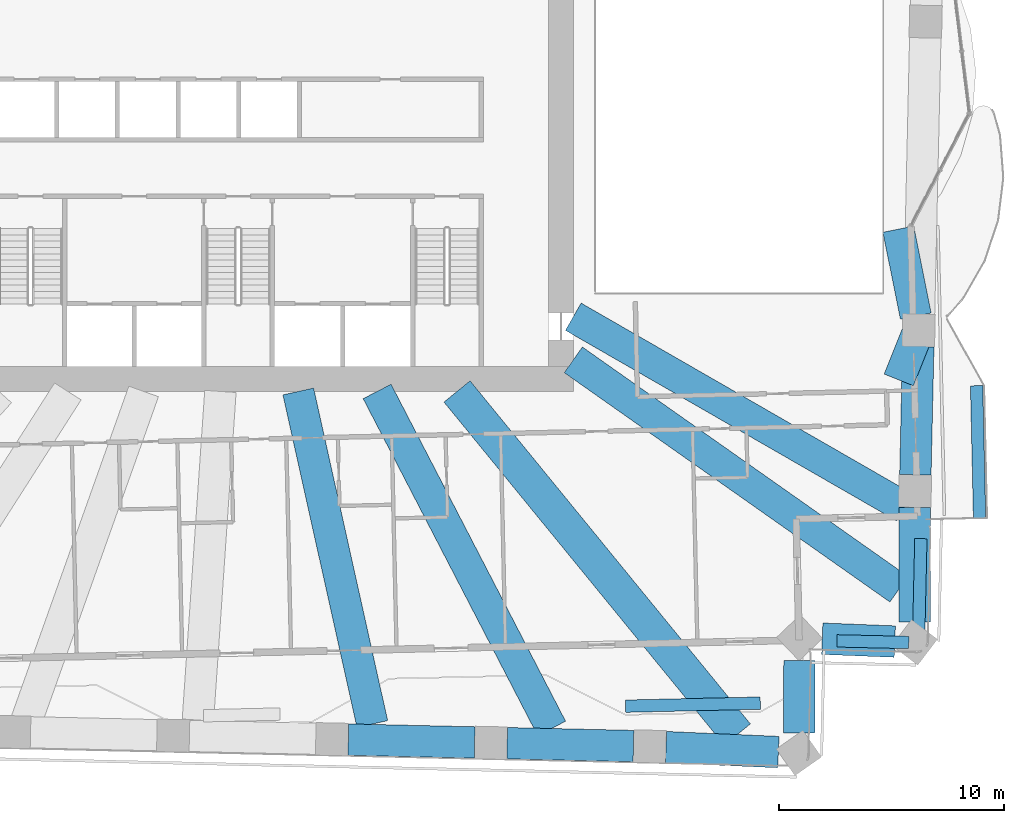
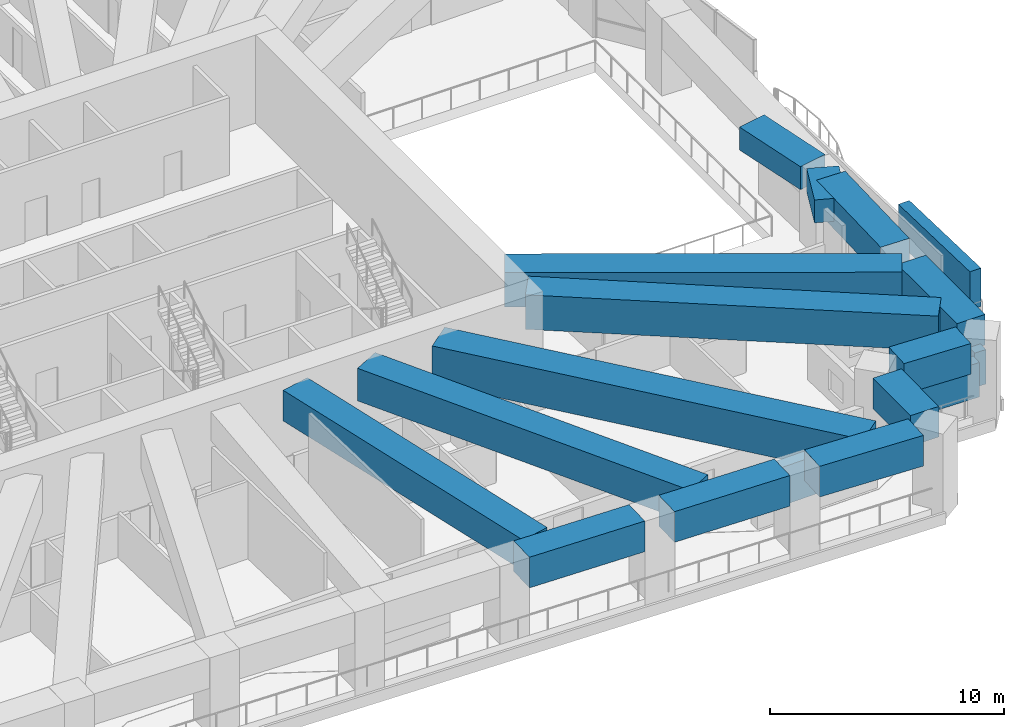
# One storey, part 3 of 20: 14 beams, 4 members.
"""IFC4 building model written with IfcOpenShell, lengths in metres."""

from ifc_helpers import new_model, si_unit, direction, frame, origin, origin_2d, place, context, subcontext, project, spatial, rectangle, extrude, material, material_profile, profile_set, type_object, element, save


model = new_model("IFC4")

# Units and contexts
model_context = context("Model", 3, precision=1e-05, world=origin(), true_north=direction((0.0, 1.0)))
body_context = subcontext(model_context, "Body", "Model", "MODEL_VIEW")
ifc_project = project(units=[si_unit("LENGTHUNIT", "METRE"), si_unit("AREAUNIT", "SQUARE_METRE"), si_unit("VOLUMEUNIT", "CUBIC_METRE"), si_unit("PLANEANGLEUNIT", "RADIAN"), si_unit("MASSUNIT", "GRAM", prefix="KILO")], contexts=[model_context])

# Site, building, storey
site_placement = place(None, origin())
site = spatial("IfcSite", under=ifc_project, at=site_placement, CompositionType="ELEMENT")
building_placement = place(site_placement, origin())
building = spatial("IfcBuilding", under=site, at=building_placement, Name="Mangrove Gate Tower", CompositionType="ELEMENT")
storey_placement = place(building_placement, frame((0.0, 0.0, 74.699951171875)))
storey = spatial("IfcBuildingStorey", under=building, at=storey_placement, Name="L18", CompositionType="ELEMENT", Elevation=74.699951171875)

# Members
ifc_material_1 = material(Name="Planting on aluminium trellis", Category="aluminium")
ifc_material_profile_1 = material_profile(ifc_material_1, rectangle(XDim=0.550048828125, YDim=2.0, at=origin_2d()))
ifc_profile_set_1 = profile_set([ifc_material_profile_1], Name="Planting on aluminium trellis")
member_type_1 = type_object("IfcMemberType", Name="Balcony greenery screen 550x2000", PredefinedType="USERDEFINED", material=ifc_profile_set_1)
member_1_placement = place(storey_placement, frame((32.993896484375, -17.5419921875, 1.800048828125), z_axis=(-0.022512713257, 0.999746556754, 0.0), x_axis=(-0.999746556754, -0.022512713257, 0.0)))
element("IfcMember", 1, at=member_1_placement, inside=storey, type_object=member_type_1, Name="GREEN SCREEN L18 E0.1", ObjectType="PLANTING", PredefinedType="USERDEFINED", context=body_context, shape_type="SweptSolid", body=[
    extrude(rectangle(XDim=0.550048828125, YDim=2.0, at=origin_2d()), origin(), (0.0, 0.0, 1.0), 5.8994140625),
])
member_2_placement = place(storey_placement, frame((17.22998046875, -25.9169921875, 1.800048828125), z_axis=(0.999743094499, 0.022665943652, 0.0), x_axis=(-0.022665943652, 0.999743094499, 0.0)))
element("IfcMember", 2, at=member_2_placement, inside=storey, type_object=member_type_1, Name="GREEN SCREEN L18 S1.1", ObjectType="PLANTING", PredefinedType="USERDEFINED", context=body_context, shape_type="SweptSolid", body=[
    extrude(rectangle(XDim=0.550048828125, YDim=2.0, at=origin_2d()), origin(), (0.0, 0.0, 1.0), 5.99951171875),
])
ifc_material_2 = material(Name="Planting on aluminium trellis", Category="aluminium")
ifc_material_profile_2 = material_profile(ifc_material_2, rectangle(XDim=0.550048828125, YDim=1.800048828125, at=origin_2d()))
ifc_profile_set_2 = profile_set([ifc_material_profile_2], Name="Planting on aluminium trellis")
member_type_2 = type_object("IfcMemberType", Name="Roof greenery screen 550x1800", PredefinedType="USERDEFINED", material=ifc_profile_set_2)
member_3_placement = place(storey_placement, frame((30.37890625, -18.4560546875, 1.699951171875), z_axis=(-0.02260655623, -0.999744439152, 0.0), x_axis=(0.999744439152, -0.02260655623, 0.0)))
element("IfcMember", 3, at=member_3_placement, inside=storey, type_object=member_type_2, Name="GREEN SCREEN L18 T4.1.6", ObjectType="PLANTING", PredefinedType="USERDEFINED", context=body_context, shape_type="SweptSolid", body=[
    extrude(rectangle(XDim=0.550048828125, YDim=1.800048828125, at=origin_2d()), origin(), (0.0, 0.0, 1.0), 4.200927734375),
])
member_4_placement = place(storey_placement, frame((29.839111328125, -23.0810546875, 1.699951171875), z_axis=(-0.999745572019, 0.022556401051, 0.0), x_axis=(-0.022556401051, -0.999745572019, 0.0)))
element("IfcMember", 4, at=member_4_placement, inside=storey, type_object=member_type_2, Name="GREEN SCREEN L18 T4.2.6", ObjectType="PLANTING", PredefinedType="USERDEFINED", context=body_context, shape_type="SweptSolid", body=[
    extrude(rectangle(XDim=0.550048828125, YDim=1.800048828125, at=origin_2d()), origin(), (0.0, 0.0, 1.0), 3.19287109375),
])

# Beams
ifc_material_3 = material(Name="Concrete C70/85", Category="concrete")
ifc_material_profile_3 = material_profile(ifc_material_3, rectangle(XDim=1.39990234375, YDim=1.199951171875, at=origin_2d()))
ifc_profile_set_3 = profile_set([ifc_material_profile_3], Name="Concrete C70/85")
beam_type_1 = type_object("IfcBeamType", Name="Transfer girder RC 1400x1200 C70/85", PredefinedType="BEAM", material=ifc_profile_set_3)
beam_1_placement = place(storey_placement, frame((30.279296875, -9.177490234375, 3.449951171875), z_axis=(-0.371443763916, -0.9284554541, 0.0), x_axis=(0.9284554541, -0.371443763916, 0.0)))
element("IfcBeam", 5, at=beam_1_placement, inside=storey, type_object=beam_type_1, Name="Transfer edge girder L18 14", PredefinedType="BEAM", context=body_context, shape_type="SweptSolid", body=[
    extrude(rectangle(XDim=1.39990234375, YDim=1.199951171875, at=origin_2d()), origin(), (0.0, 0.0, 1.0), 2.378662109375),
])
beam_2_placement = place(storey_placement, frame((30.152587890625, -8.547119140625, 3.449951171875), z_axis=(-0.196674757374, 0.980468785741, 0.0), x_axis=(-0.980468785741, -0.196674757374, 0.0)))
element("IfcBeam", 6, at=beam_2_placement, inside=storey, type_object=beam_type_1, Name="Transfer edge girder L18 15", PredefinedType="BEAM", context=body_context, shape_type="SweptSolid", body=[
    extrude(rectangle(XDim=1.39990234375, YDim=1.199951171875, at=origin_2d()), origin(), (0.0, 0.0, 1.0), 3.949951171875),
])
ifc_material_4 = material(Name="Concrete C70/85", Category="concrete")
ifc_material_profile_4 = material_profile(ifc_material_4, rectangle(XDim=1.39990234375, YDim=1.60009765625, at=origin_2d()))
ifc_profile_set_4 = profile_set([ifc_material_profile_4], Name="Concrete C70/85")
beam_type_2 = type_object("IfcBeamType", Name="Transfer girder RC 1400x1600 C70/85", PredefinedType="BEAM", material=ifc_profile_set_4)
beam_3_placement = place(storey_placement, frame((4.88037109375, -27.40576171875, 3.25), z_axis=(0.999741409687, -0.022740135377, 0.0), x_axis=(0.022740135377, 0.999741409687, 0.0)))
element("IfcBeam", 7, at=beam_3_placement, inside=storey, type_object=beam_type_2, Name="Transfer ring girder L18 09", PredefinedType="BEAM", context=body_context, shape_type="SweptSolid", body=[
    extrude(rectangle(XDim=1.39990234375, YDim=1.60009765625, at=origin_2d()), origin(), (0.0, 0.0, 1.0), 5.625732421875),
])
beam_4_placement = place(storey_placement, frame((11.954345703125, -27.566650390625, 3.25), z_axis=(0.999741499429, -0.022736189649, 0.0), x_axis=(0.022736189649, 0.999741499429, 0.0)))
element("IfcBeam", 8, at=beam_4_placement, inside=storey, type_object=beam_type_2, Name="Transfer ring girder L18 10", PredefinedType="BEAM", context=body_context, shape_type="SweptSolid", body=[
    extrude(rectangle(XDim=1.39990234375, YDim=1.60009765625, at=origin_2d()), origin(), (0.0, 0.0, 1.0), 5.626708984375),
])
beam_5_placement = place(storey_placement, frame((19.02880859375, -27.742919921875, 3.25), z_axis=(0.999041944895, -0.043762910562, 0.0), x_axis=(0.043762910562, 0.999041944895, 0.0)))
element("IfcBeam", 9, at=beam_5_placement, inside=storey, type_object=beam_type_2, Name="Transfer ring girder L18 11", PredefinedType="BEAM", context=body_context, shape_type="SweptSolid", body=[
    extrude(rectangle(XDim=1.39990234375, YDim=1.60009765625, at=origin_2d()), origin(), (0.0, 0.0, 1.0), 5.009765625),
])
beam_6_placement = place(storey_placement, frame((24.95263671875, -27.113037109375, 3.25), z_axis=(0.006498275971, 0.999978885982, 0.0), x_axis=(-0.999978885982, 0.006498275971, 0.0)))
element("IfcBeam", 10, at=beam_6_placement, inside=storey, type_object=beam_type_2, Name="Transfer ring girder L18 12", PredefinedType="BEAM", context=body_context, shape_type="SweptSolid", body=[
    extrude(rectangle(XDim=1.39990234375, YDim=1.60009765625, at=origin_2d()), origin(), (0.0, 0.0, 1.0), 3.23095703125),
])
beam_7_placement = place(storey_placement, frame((25.987548828125, -22.912841796875, 3.25), z_axis=(0.999216566217, -0.039575924467, 0.0), x_axis=(0.039575924467, 0.999216566217, 0.0)))
element("IfcBeam", 11, at=beam_7_placement, inside=storey, type_object=beam_type_2, Name="Transfer ring girder L18 13", PredefinedType="BEAM", context=body_context, shape_type="SweptSolid", body=[
    extrude(rectangle(XDim=1.39990234375, YDim=1.60009765625, at=origin_2d()), origin(), (0.0, 0.0, 1.0), 3.232421875),
])
beam_8_placement = place(storey_placement, frame((30.104248046875, -22.166259765625, 3.25), z_axis=(0.002200951607, 0.999997577903, 0.0), x_axis=(-0.999997577903, 0.002200951607, 0.0)))
element("IfcBeam", 12, at=beam_8_placement, inside=storey, type_object=beam_type_2, Name="Transfer ring girder L18 14", PredefinedType="BEAM", context=body_context, shape_type="SweptSolid", body=[
    extrude(rectangle(XDim=1.39990234375, YDim=1.60009765625, at=origin_2d()), origin(), (0.0, 0.0, 1.0), 5.1025390625),
])
beam_9_placement = place(storey_placement, frame((30.133544921875, -15.61376953125, 3.25), z_axis=(0.022606856661, 0.999744432359, 0.0), x_axis=(-0.999744432359, 0.022606856661, 0.0)))
element("IfcBeam", 13, at=beam_9_placement, inside=storey, type_object=beam_type_2, Name="Transfer ring girder L18 15", PredefinedType="BEAM", context=body_context, shape_type="SweptSolid", body=[
    extrude(rectangle(XDim=1.39990234375, YDim=1.60009765625, at=origin_2d()), origin(), (0.0, 0.0, 1.0), 5.712890625),
])
beam_10_placement = place(storey_placement, frame((2.65087890625, -11.89990234375, 3.25), z_axis=(0.217424451768, -0.976077152572, 0.0), x_axis=(0.976077152572, 0.217424451768, 0.0)))
element("IfcBeam", 14, at=beam_10_placement, inside=storey, type_object=beam_type_2, Name="Transfer girder L18 08", PredefinedType="BEAM", context=body_context, shape_type="SweptSolid", body=[
    extrude(rectangle(XDim=1.39990234375, YDim=1.60009765625, at=origin_2d()), origin(), (0.0, 0.0, 1.0), 15.174560546875),
])
ifc_material_5 = material(Name="Concrete C70/85", Category="concrete")
ifc_material_profile_5 = material_profile(ifc_material_5, rectangle(XDim=1.39990234375, YDim=1.699951171875, at=origin_2d()))
ifc_profile_set_5 = profile_set([ifc_material_profile_5], Name="Concrete C70/85")
beam_type_3 = type_object("IfcBeamType", Name="Transfer girder RC 1400x1700 C70/85", PredefinedType="BEAM", material=ifc_profile_set_5)
beam_11_placement = place(storey_placement, frame((6.162841796875, -11.89990234375, 3.199951171875), z_axis=(0.45986726385, -0.88798766863, 0.0), x_axis=(0.88798766863, 0.45986726385, 0.0)))
element("IfcBeam", 15, at=beam_11_placement, inside=storey, type_object=beam_type_3, Name="Transfer girder L18 09", PredefinedType="BEAM", context=body_context, shape_type="SweptSolid", body=[
    extrude(rectangle(XDim=1.39990234375, YDim=1.699951171875, at=origin_2d()), origin(), (0.0, 0.0, 1.0), 16.903076171875),
])
ifc_material_6 = material(Name="Concrete C70/85", Category="concrete")
ifc_material_profile_6 = material_profile(ifc_material_6, rectangle(XDim=1.39990234375, YDim=1.800048828125, at=origin_2d()))
ifc_profile_set_6 = profile_set([ifc_material_profile_6], Name="Concrete C70/85")
beam_type_4 = type_object("IfcBeamType", Name="Transfer girder RC 1400x1800 C70/85", PredefinedType="BEAM", material=ifc_profile_set_6)
beam_12_placement = place(storey_placement, frame((14.89990234375, -10.4931640625, 3.150146484375), z_axis=(0.817602445429, -0.575783154693, 0.0), x_axis=(0.575783154693, 0.817602445429, 0.0)))
element("IfcBeam", 16, at=beam_12_placement, inside=storey, type_object=beam_type_4, Name="Transfer girder L18 12", PredefinedType="BEAM", context=body_context, shape_type="SweptSolid", body=[
    extrude(rectangle(XDim=1.39990234375, YDim=1.800048828125, at=origin_2d()), origin(), (0.0, 0.0, 1.0), 17.73876953125),
])
beam_13_placement = place(storey_placement, frame((14.89990234375, -8.57275390625, 3.150146484375), z_axis=(0.866777915811, -0.498694339914, 0.0), x_axis=(0.498694339914, 0.866777915811, 0.0)))
element("IfcBeam", 17, at=beam_13_placement, inside=storey, type_object=beam_type_4, Name="Transfer girder L18 13", PredefinedType="BEAM", context=body_context, shape_type="SweptSolid", body=[
    extrude(rectangle(XDim=1.39990234375, YDim=1.800048828125, at=origin_2d()), origin(), (0.0, 0.0, 1.0), 17.013671875),
])
ifc_material_7 = material(Name="Concrete C70/85", Category="concrete")
ifc_material_profile_7 = material_profile(ifc_material_7, rectangle(XDim=1.5, YDim=1.949951171875, at=origin_2d()))
ifc_profile_set_7 = profile_set([ifc_material_profile_7], Name="Concrete C70/85")
beam_type_5 = type_object("IfcBeamType", Name="Transfer girder RC 1500x1950 C70/85", PredefinedType="BEAM", material=ifc_profile_set_7)
beam_14_placement = place(storey_placement, frame((9.7216796875, -11.89990234375, 3.074951171875), z_axis=(0.632664213603, -0.774426234593, 0.0), x_axis=(0.774426234593, 0.632664213603, 0.0)))
element("IfcBeam", 18, at=beam_14_placement, inside=storey, type_object=beam_type_5, Name="Transfer girder L18 10", PredefinedType="BEAM", context=body_context, shape_type="SweptSolid", body=[
    extrude(rectangle(XDim=1.5, YDim=1.949951171875, at=origin_2d()), origin(), (0.0, 0.0, 1.0), 19.731201171875),
])

save(model, "model.ifc")
